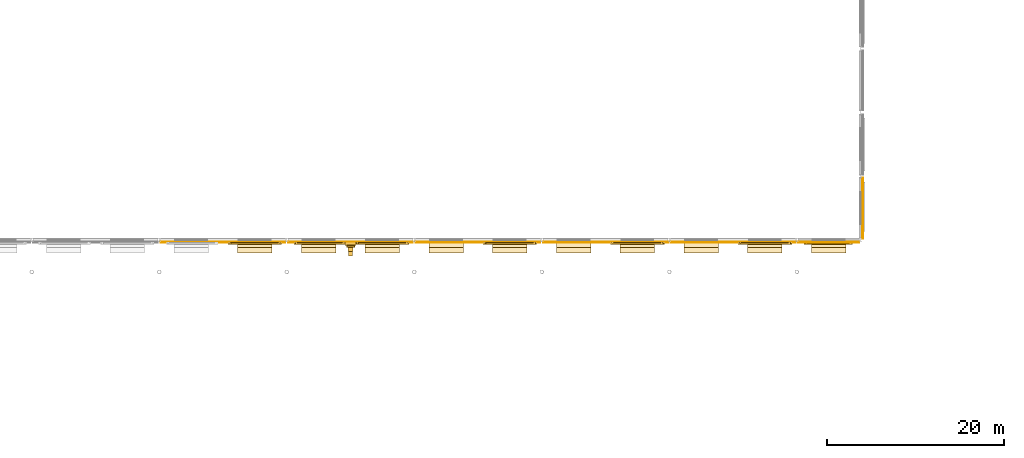
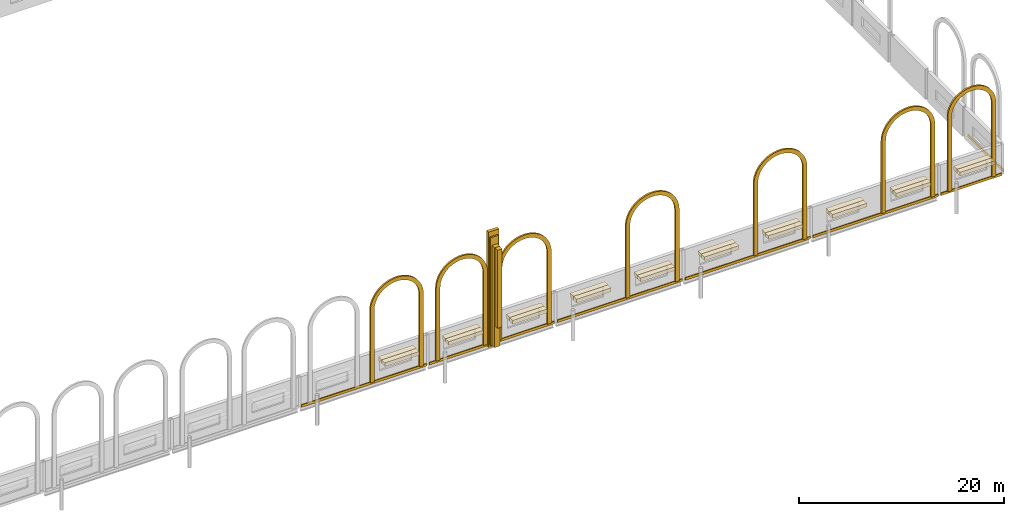
# One storey, part 124 of 143: 38 coverings.
"""IFC4 building model written with IfcOpenShell, lengths in metres."""

from ifc_helpers import new_model, si_unit, direction, frame, origin, origin_2d, place, context, subcontext, project, spatial, polyline, rectangle, outline, extrude, material, layer, layer_set, type_object, element, save


model = new_model("IFC4")

# Units and contexts
model_context = context("Model", 3, precision=1e-05, world=origin(), true_north=direction((0.0, 1.0)))
body_context = subcontext(model_context, "Body", "Model", "MODEL_VIEW")
ifc_project = project(units=[si_unit("LENGTHUNIT", "METRE"), si_unit("AREAUNIT", "SQUARE_METRE"), si_unit("VOLUMEUNIT", "CUBIC_METRE"), si_unit("PLANEANGLEUNIT", "RADIAN"), si_unit("MASSUNIT", "GRAM", prefix="KILO")], contexts=[model_context])

# Site, building, storey
site_placement = place(None, origin())
site = spatial("IfcSite", under=ifc_project, at=site_placement, CompositionType="ELEMENT")
building_placement = place(site_placement, origin())
building = spatial("IfcBuilding", under=site, at=building_placement, Name="Kupolbacken Congress Centre", CompositionType="ELEMENT")
storey_placement = place(building_placement, frame((0.0, 0.0, 7.199951171875)))
storey = spatial("IfcBuildingStorey", under=building, at=storey_placement, Name="L02", CompositionType="ELEMENT", Elevation=7.199951171875)

# Coverings
ifc_material_1 = material(Name="Brick cladding", Category="masonry")
ifc_layer_1 = layer(ifc_material_1, 0.10791015625)
ifc_layer_set_1 = layer_set([ifc_layer_1], Name="Brick cladding")
covering_type_1 = type_object("IfcCoveringType", Name="CV2 brick cladding band 108", PredefinedType="CLADDING", material=ifc_layer_set_1)
covering_1_placement = place(storey_placement, frame((201.864013671875, 46.800048828125, 0.0), z_axis=(0.0, 0.0, 1.0), x_axis=(0.0, 1.0, 0.0)))
element("IfcCovering", 1, at=covering_1_placement, inside=storey, type_object=covering_type_1, Name="E/H/E/L02/246/band", PredefinedType="CLADDING", context=body_context, shape_type="SweptSolid", body=[
    extrude(rectangle(XDim=6.909912109375, YDim=0.10791015625, at=origin_2d()), origin(), (0.0, 0.0, 1.0), 0.300048828125),
])
for number, where, z_axis, x_axis, name in (
    (2, (129.60009765625, 42.93603515625, 0.0), (0.0, 0.0, 1.0), (1.0, 0.0, 0.0), "E/H/S/L02/268/band"),
    (3, (144.0, 42.93603515625, 0.0), (0.0, 0.0, 1.0), (1.0, 0.0, 0.0), "E/H/S/L02/269/band"),
    (4, (158.39990234375, 42.93603515625, 0.0), (0.0, 0.0, 1.0), (1.0, 0.0, 0.0), "E/H/S/L02/270/band"),
    (5, (172.800048828125, 42.93603515625, 0.0), (0.0, 0.0, 1.0), (1.0, 0.0, 0.0), "E/H/S/L02/271/band"),
    (6, (187.199951171875, 42.93603515625, 0.0), (0.0, 0.0, 1.0), (1.0, 0.0, 0.0), "E/H/S/L02/272/band"),
):
    element("IfcCovering", number, at=place(storey_placement, frame(where, z_axis=z_axis, x_axis=x_axis)), inside=storey, type_object=covering_type_1, Name=name, PredefinedType="CLADDING", context=body_context, shape_type="SweptSolid", body=[
        extrude(rectangle(XDim=14.10009765625, YDim=0.10791015625, at=origin_2d()), origin(), (0.0, 0.0, 1.0), 0.300048828125),
    ])
covering_2_placement = place(storey_placement, frame((198.0, 42.93603515625, 0.0), z_axis=(0.0, 0.0, 1.0), x_axis=(1.0, 0.0, 0.0)))
element("IfcCovering", 7, at=covering_2_placement, inside=storey, type_object=covering_type_1, Name="E/H/S/L02/273/band", PredefinedType="CLADDING", context=body_context, shape_type="SweptSolid", body=[
    extrude(rectangle(XDim=6.89990234375, YDim=0.10791015625, at=origin_2d()), origin(), (0.0, 0.0, 1.0), 0.300048828125),
])
ifc_material_2 = material(Name="Limestone cladding", Category="masonry")
ifc_layer_2 = layer(ifc_material_2, 0.35009765625)
ifc_layer_set_2 = layer_set([ifc_layer_2], Name="Limestone cladding")
covering_type_2 = type_object("IfcCoveringType", Name="CV3 limestone pilaster strip 350", PredefinedType="CLADDING", material=ifc_layer_set_2)
covering_3_placement = place(storey_placement, frame((144.0, 42.764892578125, 0.0), z_axis=(0.0, 0.0, 1.0), x_axis=(1.0, 0.0, 0.0)))
element("IfcCovering", 8, at=covering_3_placement, inside=storey, type_object=covering_type_2, Name="F/H/S/pil/08/0", PredefinedType="CLADDING", context=body_context, shape_type="SweptSolid", body=[
    extrude(rectangle(XDim=1.199951171875, YDim=0.35009765625, at=origin_2d()), origin(), (0.0, 0.0, 1.0), 13.735107421875),
])
ifc_material_3 = material(Name="Limestone cladding", Category="masonry")
ifc_layer_3 = layer(ifc_material_3, 0.60009765625)
ifc_layer_set_3 = layer_set([ifc_layer_3], Name="Limestone cladding")
covering_type_3 = type_object("IfcCoveringType", Name="CV5 limestone arcade pier 600", PredefinedType="CLADDING", material=ifc_layer_set_3)
covering_4_placement = place(storey_placement, frame((133.199951171875, 42.6650390625, 2.5), z_axis=(0.0, 0.0, 1.0), x_axis=(1.0, 0.0, 0.0)))
element("IfcCovering", 9, at=covering_4_placement, inside=storey, type_object=covering_type_3, Name="F/HR/H/S/fin/06/0/a", PredefinedType="CLADDING", context=body_context, shape_type="SweptSolid", body=[
    extrude(rectangle(XDim=3.89990234375, YDim=0.64990234375, at=origin_2d()), origin(), (0.0, 0.0, 1.0), 0.449951171875),
])
covering_5_placement = place(storey_placement, frame((133.199951171875, 42.0400390625, 2.5), z_axis=(0.0, 0.0, 1.0), x_axis=(1.0, 0.0, 0.0)))
element("IfcCovering", 10, at=covering_5_placement, inside=storey, type_object=covering_type_3, Name="F/HR/H/S/fin/06/0/b", PredefinedType="CLADDING", context=body_context, shape_type="SweptSolid", body=[
    extrude(rectangle(XDim=3.89990234375, YDim=0.60009765625, at=origin_2d()), origin(), (0.0, 0.0, 1.0), 0.449951171875),
])
covering_6_placement = place(storey_placement, frame((140.39990234375, 42.6650390625, 2.5), z_axis=(0.0, 0.0, 1.0), x_axis=(1.0, 0.0, 0.0)))
element("IfcCovering", 11, at=covering_6_placement, inside=storey, type_object=covering_type_3, Name="F/HR/H/S/fin/07/0/a", PredefinedType="CLADDING", context=body_context, shape_type="SweptSolid", body=[
    extrude(rectangle(XDim=3.89990234375, YDim=0.64990234375, at=origin_2d()), origin(), (0.0, 0.0, 1.0), 0.449951171875),
])
covering_7_placement = place(storey_placement, frame((140.39990234375, 42.0400390625, 2.5), z_axis=(0.0, 0.0, 1.0), x_axis=(1.0, 0.0, 0.0)))
element("IfcCovering", 12, at=covering_7_placement, inside=storey, type_object=covering_type_3, Name="F/HR/H/S/fin/07/0/b", PredefinedType="CLADDING", context=body_context, shape_type="SweptSolid", body=[
    extrude(rectangle(XDim=3.89990234375, YDim=0.60009765625, at=origin_2d()), origin(), (0.0, 0.0, 1.0), 0.449951171875),
])
covering_8_placement = place(storey_placement, frame((147.60009765625, 42.6650390625, 2.5), z_axis=(0.0, 0.0, 1.0), x_axis=(1.0, 0.0, 0.0)))
element("IfcCovering", 13, at=covering_8_placement, inside=storey, type_object=covering_type_3, Name="F/HR/H/S/fin/08/0/a", PredefinedType="CLADDING", context=body_context, shape_type="SweptSolid", body=[
    extrude(rectangle(XDim=3.89990234375, YDim=0.64990234375, at=origin_2d()), origin(), (0.0, 0.0, 1.0), 0.449951171875),
])
covering_9_placement = place(storey_placement, frame((147.60009765625, 42.0400390625, 2.5), z_axis=(0.0, 0.0, 1.0), x_axis=(1.0, 0.0, 0.0)))
element("IfcCovering", 14, at=covering_9_placement, inside=storey, type_object=covering_type_3, Name="F/HR/H/S/fin/08/0/b", PredefinedType="CLADDING", context=body_context, shape_type="SweptSolid", body=[
    extrude(rectangle(XDim=3.89990234375, YDim=0.60009765625, at=origin_2d()), origin(), (0.0, 0.0, 1.0), 0.449951171875),
])
covering_10_placement = place(storey_placement, frame((154.800048828125, 42.6650390625, 2.5), z_axis=(0.0, 0.0, 1.0), x_axis=(1.0, 0.0, 0.0)))
element("IfcCovering", 15, at=covering_10_placement, inside=storey, type_object=covering_type_3, Name="F/HR/H/S/fin/09/0/a", PredefinedType="CLADDING", context=body_context, shape_type="SweptSolid", body=[
    extrude(rectangle(XDim=3.89990234375, YDim=0.64990234375, at=origin_2d()), origin(), (0.0, 0.0, 1.0), 0.449951171875),
])
covering_11_placement = place(storey_placement, frame((154.800048828125, 42.0400390625, 2.5), z_axis=(0.0, 0.0, 1.0), x_axis=(1.0, 0.0, 0.0)))
element("IfcCovering", 16, at=covering_11_placement, inside=storey, type_object=covering_type_3, Name="F/HR/H/S/fin/09/0/b", PredefinedType="CLADDING", context=body_context, shape_type="SweptSolid", body=[
    extrude(rectangle(XDim=3.89990234375, YDim=0.60009765625, at=origin_2d()), origin(), (0.0, 0.0, 1.0), 0.449951171875),
])
covering_12_placement = place(storey_placement, frame((162.0, 42.6650390625, 2.5), z_axis=(0.0, 0.0, 1.0), x_axis=(1.0, 0.0, 0.0)))
element("IfcCovering", 17, at=covering_12_placement, inside=storey, type_object=covering_type_3, Name="F/HR/H/S/fin/10/0/a", PredefinedType="CLADDING", context=body_context, shape_type="SweptSolid", body=[
    extrude(rectangle(XDim=3.89990234375, YDim=0.64990234375, at=origin_2d()), origin(), (0.0, 0.0, 1.0), 0.449951171875),
])
covering_13_placement = place(storey_placement, frame((162.0, 42.0400390625, 2.5), z_axis=(0.0, 0.0, 1.0), x_axis=(1.0, 0.0, 0.0)))
element("IfcCovering", 18, at=covering_13_placement, inside=storey, type_object=covering_type_3, Name="F/HR/H/S/fin/10/0/b", PredefinedType="CLADDING", context=body_context, shape_type="SweptSolid", body=[
    extrude(rectangle(XDim=3.89990234375, YDim=0.60009765625, at=origin_2d()), origin(), (0.0, 0.0, 1.0), 0.449951171875),
])
covering_14_placement = place(storey_placement, frame((169.199951171875, 42.6650390625, 2.5), z_axis=(0.0, 0.0, 1.0), x_axis=(1.0, 0.0, 0.0)))
element("IfcCovering", 19, at=covering_14_placement, inside=storey, type_object=covering_type_3, Name="F/HR/H/S/fin/11/0/a", PredefinedType="CLADDING", context=body_context, shape_type="SweptSolid", body=[
    extrude(rectangle(XDim=3.89990234375, YDim=0.64990234375, at=origin_2d()), origin(), (0.0, 0.0, 1.0), 0.449951171875),
])
covering_15_placement = place(storey_placement, frame((169.199951171875, 42.0400390625, 2.5), z_axis=(0.0, 0.0, 1.0), x_axis=(1.0, 0.0, 0.0)))
element("IfcCovering", 20, at=covering_15_placement, inside=storey, type_object=covering_type_3, Name="F/HR/H/S/fin/11/0/b", PredefinedType="CLADDING", context=body_context, shape_type="SweptSolid", body=[
    extrude(rectangle(XDim=3.89990234375, YDim=0.60009765625, at=origin_2d()), origin(), (0.0, 0.0, 1.0), 0.449951171875),
])
covering_16_placement = place(storey_placement, frame((176.39990234375, 42.6650390625, 2.5), z_axis=(0.0, 0.0, 1.0), x_axis=(1.0, 0.0, 0.0)))
element("IfcCovering", 21, at=covering_16_placement, inside=storey, type_object=covering_type_3, Name="F/HR/H/S/fin/12/0/a", PredefinedType="CLADDING", context=body_context, shape_type="SweptSolid", body=[
    extrude(rectangle(XDim=3.89990234375, YDim=0.64990234375, at=origin_2d()), origin(), (0.0, 0.0, 1.0), 0.449951171875),
])
covering_17_placement = place(storey_placement, frame((176.39990234375, 42.0400390625, 2.5), z_axis=(0.0, 0.0, 1.0), x_axis=(1.0, 0.0, 0.0)))
element("IfcCovering", 22, at=covering_17_placement, inside=storey, type_object=covering_type_3, Name="F/HR/H/S/fin/12/0/b", PredefinedType="CLADDING", context=body_context, shape_type="SweptSolid", body=[
    extrude(rectangle(XDim=3.89990234375, YDim=0.60009765625, at=origin_2d()), origin(), (0.0, 0.0, 1.0), 0.449951171875),
])
covering_18_placement = place(storey_placement, frame((183.60009765625, 42.6650390625, 2.5), z_axis=(0.0, 0.0, 1.0), x_axis=(1.0, 0.0, 0.0)))
element("IfcCovering", 23, at=covering_18_placement, inside=storey, type_object=covering_type_3, Name="F/HR/H/S/fin/13/0/a", PredefinedType="CLADDING", context=body_context, shape_type="SweptSolid", body=[
    extrude(rectangle(XDim=3.89990234375, YDim=0.64990234375, at=origin_2d()), origin(), (0.0, 0.0, 1.0), 0.449951171875),
])
covering_19_placement = place(storey_placement, frame((183.60009765625, 42.0400390625, 2.5), z_axis=(0.0, 0.0, 1.0), x_axis=(1.0, 0.0, 0.0)))
element("IfcCovering", 24, at=covering_19_placement, inside=storey, type_object=covering_type_3, Name="F/HR/H/S/fin/13/0/b", PredefinedType="CLADDING", context=body_context, shape_type="SweptSolid", body=[
    extrude(rectangle(XDim=3.89990234375, YDim=0.60009765625, at=origin_2d()), origin(), (0.0, 0.0, 1.0), 0.449951171875),
])
covering_20_placement = place(storey_placement, frame((190.800048828125, 42.6650390625, 2.5), z_axis=(0.0, 0.0, 1.0), x_axis=(1.0, 0.0, 0.0)))
element("IfcCovering", 25, at=covering_20_placement, inside=storey, type_object=covering_type_3, Name="F/HR/H/S/fin/14/0/a", PredefinedType="CLADDING", context=body_context, shape_type="SweptSolid", body=[
    extrude(rectangle(XDim=3.89990234375, YDim=0.64990234375, at=origin_2d()), origin(), (0.0, 0.0, 1.0), 0.449951171875),
])
covering_21_placement = place(storey_placement, frame((190.800048828125, 42.0400390625, 2.5), z_axis=(0.0, 0.0, 1.0), x_axis=(1.0, 0.0, 0.0)))
element("IfcCovering", 26, at=covering_21_placement, inside=storey, type_object=covering_type_3, Name="F/HR/H/S/fin/14/0/b", PredefinedType="CLADDING", context=body_context, shape_type="SweptSolid", body=[
    extrude(rectangle(XDim=3.89990234375, YDim=0.60009765625, at=origin_2d()), origin(), (0.0, 0.0, 1.0), 0.449951171875),
])
covering_22_placement = place(storey_placement, frame((198.0, 42.6650390625, 2.5), z_axis=(0.0, 0.0, 1.0), x_axis=(1.0, 0.0, 0.0)))
element("IfcCovering", 27, at=covering_22_placement, inside=storey, type_object=covering_type_3, Name="F/HR/H/S/fin/15/0/a", PredefinedType="CLADDING", context=body_context, shape_type="SweptSolid", body=[
    extrude(rectangle(XDim=3.89990234375, YDim=0.64990234375, at=origin_2d()), origin(), (0.0, 0.0, 1.0), 0.449951171875),
])
covering_23_placement = place(storey_placement, frame((198.0, 42.0400390625, 2.5), z_axis=(0.0, 0.0, 1.0), x_axis=(1.0, 0.0, 0.0)))
element("IfcCovering", 28, at=covering_23_placement, inside=storey, type_object=covering_type_3, Name="F/HR/H/S/fin/15/0/b", PredefinedType="CLADDING", context=body_context, shape_type="SweptSolid", body=[
    extrude(rectangle(XDim=3.89990234375, YDim=0.60009765625, at=origin_2d()), origin(), (0.0, 0.0, 1.0), 0.449951171875),
])
ifc_material_4 = material(Name="Limestone cladding", Category="masonry")
ifc_layer_4 = layer(ifc_material_4, 0.5)
ifc_layer_set_4 = layer_set([ifc_layer_4], Name="Limestone cladding")
covering_type_4 = type_object("IfcCoveringType", Name="CV8 limestone drum pier 500", PredefinedType="CLADDING", material=ifc_layer_set_4)
covering_24_placement = place(storey_placement, frame((144.0, 42.139892578125, 0.2998046875), z_axis=(0.0, 0.0, 1.0), x_axis=(1.0, 0.0, 0.0)))
element("IfcCovering", 29, at=covering_24_placement, inside=storey, type_object=covering_type_4, Name="F/HR/H/S/butt/08-0/0", PredefinedType="CLADDING", context=body_context, shape_type="SweptSolid", body=[
    extrude(rectangle(XDim=0.60009765625, YDim=0.5, at=origin_2d()), origin(), (0.0, 0.0, 1.0), 11.885009765625),
])
covering_25_placement = place(storey_placement, frame((144.0, 41.639892578125, 2.89990234375), z_axis=(0.0, 0.0, 1.0), x_axis=(1.0, 0.0, 0.0)))
element("IfcCovering", 30, at=covering_25_placement, inside=storey, type_object=covering_type_4, Name="F/HR/H/S/butt2/08-0/0", PredefinedType="CLADDING", context=body_context, shape_type="SweptSolid", body=[
    extrude(rectangle(XDim=0.5, YDim=0.5, at=origin_2d()), origin(), (0.0, 0.0, 1.0), 9.284912109375),
])
ifc_material_5 = material(Name="Limestone cladding", Category="masonry")
ifc_layer_5 = layer(ifc_material_5, 0.199951171875)
ifc_layer_set_5 = layer_set([ifc_layer_5], Name="Limestone cladding")
covering_type_5 = type_object("IfcCoveringType", Name="CV9 limestone drum arch frame 200", PredefinedType="CLADDING", material=ifc_layer_set_5)
covering_26_placement = place(storey_placement, frame((144.0, 42.489990234375, 0.300048828125), z_axis=(0.0, 0.0, 1.0), x_axis=(1.0, 0.0, 0.0)))
element("IfcCovering", 31, at=covering_26_placement, inside=storey, type_object=covering_type_5, Name="F/HR/H/S/rib/08-0/0", PredefinedType="CLADDING", context=body_context, shape_type="SweptSolid", body=[
    extrude(rectangle(XDim=0.89990234375, YDim=0.199951171875, at=origin_2d()), origin(), (0.0, 0.0, 1.0), 12.8349609375),
])
covering_27_placement = place(storey_placement, frame((130.199951171875, 42.93994140625, 0.300048828125), z_axis=(0.0, -1.0, 0.0), x_axis=(1.0, 0.0, 0.0)))
element("IfcCovering", 32, at=covering_27_placement, inside=storey, type_object=covering_type_5, Name="F/HR/H/S/frame/06", PredefinedType="CLADDING", context=body_context, shape_type="SweptSolid", body=[
    extrude(outline(polyline([(0.0, 0.0), (0.0, 8.550048828125), (0.018798828125, 8.885986328125), (0.0751953125, 9.217529296875), (0.16845703125, 9.540771484375), (0.297119140625, 9.851806640625), (0.459716796875, 10.14599609375), (0.654541015625, 10.42041015625), (0.878662109375, 10.67138671875), (1.12939453125, 10.8955078125), (1.40380859375, 11.090087890625), (1.6982421875, 11.2529296875), (2.00927734375, 11.381591796875), (2.33251953125, 11.474853515625), (2.6640625, 11.531005859375), (3.0, 11.550048828125), (3.3359375, 11.531005859375), (3.66748046875, 11.474853515625), (3.99072265625, 11.381591796875), (4.3017578125, 11.2529296875), (4.59619140625, 11.090087890625), (4.87060546875, 10.8955078125), (5.121337890625, 10.67138671875), (5.345458984375, 10.42041015625), (5.540283203125, 10.14599609375), (5.702880859375, 9.851806640625), (5.83154296875, 9.540771484375), (5.9248046875, 9.217529296875), (5.981201171875, 8.885986328125), (6.0, 8.550048828125), (6.0, 0.0), (5.550048828125, 0.0), (5.550048828125, 8.550048828125), (5.533935546875, 8.83544921875), (5.486083984375, 9.117431640625), (5.406982421875, 9.39208984375), (5.297607421875, 9.656494140625), (5.1591796875, 9.90673828125), (4.99365234375, 10.139892578125), (4.802978515625, 10.35302734375), (4.58984375, 10.543701171875), (4.356689453125, 10.708984375), (4.1064453125, 10.847412109375), (3.84228515625, 10.956787109375), (3.5673828125, 11.0361328125), (3.285400390625, 11.083984375), (3.0, 11.10009765625), (2.714599609375, 11.083984375), (2.4326171875, 11.0361328125), (2.15771484375, 10.956787109375), (1.8935546875, 10.847412109375), (1.643310546875, 10.708984375), (1.41015625, 10.543701171875), (1.197021484375, 10.35302734375), (1.00634765625, 10.139892578125), (0.8408203125, 9.90673828125), (0.702392578125, 9.656494140625), (0.593017578125, 9.39208984375), (0.513916015625, 9.117431640625), (0.466064453125, 8.83544921875), (0.449951171875, 8.550048828125), (0.449951171875, 0.0), (0.0, 0.0)])), origin(), (0.0, 0.0, 1.0), 0.199951171875),
])
covering_28_placement = place(storey_placement, frame((137.6201171875, 42.93994140625, 0.300048828125), z_axis=(0.0, -1.0, 0.0), x_axis=(1.0, 0.0, 0.0)))
element("IfcCovering", 33, at=covering_28_placement, inside=storey, type_object=covering_type_5, Name="F/HR/H/S/frame/07", PredefinedType="CLADDING", context=body_context, shape_type="SweptSolid", body=[
    extrude(outline(polyline([(0.0, 0.0), (0.0, 8.659912109375), (0.018310546875, 8.983642578125), (0.072509765625, 9.302978515625), (0.162109375, 9.614501953125), (0.2861328125, 9.913818359375), (0.443115234375, 10.197509765625), (0.630615234375, 10.4619140625), (0.846435546875, 10.70361328125), (1.088134765625, 10.91943359375), (1.352294921875, 11.10693359375), (1.635986328125, 11.263916015625), (1.935546875, 11.3876953125), (2.246826171875, 11.4775390625), (2.56640625, 11.53173828125), (2.889892578125, 11.550048828125), (3.213623046875, 11.53173828125), (3.533203125, 11.4775390625), (3.844482421875, 11.3876953125), (4.143798828125, 11.263916015625), (4.427490234375, 11.10693359375), (4.69189453125, 10.91943359375), (4.93359375, 10.70361328125), (5.1494140625, 10.4619140625), (5.3369140625, 10.197509765625), (5.493896484375, 9.913818359375), (5.617919921875, 9.614501953125), (5.70751953125, 9.302978515625), (5.76171875, 8.983642578125), (5.780029296875, 8.659912109375), (5.780029296875, 0.0), (5.330078125, 0.0), (5.330078125, 8.659912109375), (5.314697265625, 8.93310546875), (5.268798828125, 9.202880859375), (5.193115234375, 9.4658203125), (5.08837890625, 9.71875), (4.9560546875, 9.958251953125), (4.797607421875, 10.181396484375), (4.615234375, 10.38525390625), (4.411376953125, 10.567626953125), (4.188232421875, 10.72607421875), (3.94873046875, 10.8583984375), (3.69580078125, 10.963134765625), (3.43310546875, 11.038818359375), (3.1630859375, 11.084716796875), (2.889892578125, 11.10009765625), (2.61669921875, 11.084716796875), (2.346923828125, 11.038818359375), (2.083984375, 10.963134765625), (1.831298828125, 10.8583984375), (1.591796875, 10.72607421875), (1.36865234375, 10.567626953125), (1.164794921875, 10.38525390625), (0.982421875, 10.181396484375), (0.823974609375, 9.958251953125), (0.691650390625, 9.71875), (0.5869140625, 9.4658203125), (0.51123046875, 9.202880859375), (0.46533203125, 8.93310546875), (0.449951171875, 8.659912109375), (0.449951171875, 0.0), (0.0, 0.0)])), origin(), (0.0, 0.0, 1.0), 0.199951171875),
])
covering_29_placement = place(storey_placement, frame((144.60009765625, 42.93994140625, 0.300048828125), z_axis=(0.0, -1.0, 0.0), x_axis=(1.0, 0.0, 0.0)))
element("IfcCovering", 34, at=covering_29_placement, inside=storey, type_object=covering_type_5, Name="F/HR/H/S/frame/08", PredefinedType="CLADDING", context=body_context, shape_type="SweptSolid", body=[
    extrude(outline(polyline([(0.0, 0.0), (0.0, 8.550048828125), (0.018798828125, 8.885986328125), (0.0751953125, 9.217529296875), (0.16845703125, 9.540771484375), (0.297119140625, 9.851806640625), (0.459716796875, 10.14599609375), (0.654541015625, 10.42041015625), (0.878662109375, 10.67138671875), (1.12939453125, 10.8955078125), (1.40380859375, 11.090087890625), (1.6982421875, 11.2529296875), (2.00927734375, 11.381591796875), (2.33251953125, 11.474853515625), (2.6640625, 11.531005859375), (3.0, 11.550048828125), (3.3359375, 11.531005859375), (3.66748046875, 11.474853515625), (3.99072265625, 11.381591796875), (4.3017578125, 11.2529296875), (4.59619140625, 11.090087890625), (4.87060546875, 10.8955078125), (5.121337890625, 10.67138671875), (5.345458984375, 10.42041015625), (5.540283203125, 10.14599609375), (5.702880859375, 9.851806640625), (5.83154296875, 9.540771484375), (5.9248046875, 9.217529296875), (5.981201171875, 8.885986328125), (6.0, 8.550048828125), (6.0, 0.0), (5.550048828125, 0.0), (5.550048828125, 8.550048828125), (5.533935546875, 8.83544921875), (5.486083984375, 9.117431640625), (5.406982421875, 9.39208984375), (5.297607421875, 9.656494140625), (5.1591796875, 9.90673828125), (4.99365234375, 10.139892578125), (4.802978515625, 10.35302734375), (4.58984375, 10.543701171875), (4.356689453125, 10.708984375), (4.1064453125, 10.847412109375), (3.84228515625, 10.956787109375), (3.5673828125, 11.0361328125), (3.285400390625, 11.083984375), (3.0, 11.10009765625), (2.714599609375, 11.083984375), (2.4326171875, 11.0361328125), (2.15771484375, 10.956787109375), (1.8935546875, 10.847412109375), (1.643310546875, 10.708984375), (1.41015625, 10.543701171875), (1.197021484375, 10.35302734375), (1.00634765625, 10.139892578125), (0.8408203125, 9.90673828125), (0.702392578125, 9.656494140625), (0.593017578125, 9.39208984375), (0.513916015625, 9.117431640625), (0.466064453125, 8.83544921875), (0.449951171875, 8.550048828125), (0.449951171875, 0.0), (0.0, 0.0)])), origin(), (0.0, 0.0, 1.0), 0.199951171875),
])
covering_30_placement = place(storey_placement, frame((159.0, 42.93994140625, 0.300048828125), z_axis=(0.0, -1.0, 0.0), x_axis=(1.0, 0.0, 0.0)))
element("IfcCovering", 35, at=covering_30_placement, inside=storey, type_object=covering_type_5, Name="F/HR/H/S/frame/10", PredefinedType="CLADDING", context=body_context, shape_type="SweptSolid", body=[
    extrude(outline(polyline([(0.0, 0.0), (0.0, 8.550048828125), (0.018798828125, 8.885986328125), (0.0751953125, 9.217529296875), (0.16845703125, 9.540771484375), (0.297119140625, 9.851806640625), (0.459716796875, 10.14599609375), (0.654541015625, 10.42041015625), (0.878662109375, 10.67138671875), (1.12939453125, 10.8955078125), (1.40380859375, 11.090087890625), (1.6982421875, 11.2529296875), (2.00927734375, 11.381591796875), (2.33251953125, 11.474853515625), (2.6640625, 11.531005859375), (3.0, 11.550048828125), (3.3359375, 11.531005859375), (3.66748046875, 11.474853515625), (3.99072265625, 11.381591796875), (4.3017578125, 11.2529296875), (4.59619140625, 11.090087890625), (4.87060546875, 10.8955078125), (5.121337890625, 10.67138671875), (5.345458984375, 10.42041015625), (5.540283203125, 10.14599609375), (5.702880859375, 9.851806640625), (5.83154296875, 9.540771484375), (5.9248046875, 9.217529296875), (5.981201171875, 8.885986328125), (6.0, 8.550048828125), (6.0, 0.0), (5.550048828125, 0.0), (5.550048828125, 8.550048828125), (5.533935546875, 8.83544921875), (5.486083984375, 9.117431640625), (5.406982421875, 9.39208984375), (5.297607421875, 9.656494140625), (5.1591796875, 9.90673828125), (4.99365234375, 10.139892578125), (4.802978515625, 10.35302734375), (4.58984375, 10.543701171875), (4.356689453125, 10.708984375), (4.1064453125, 10.847412109375), (3.84228515625, 10.956787109375), (3.5673828125, 11.0361328125), (3.285400390625, 11.083984375), (3.0, 11.10009765625), (2.714599609375, 11.083984375), (2.4326171875, 11.0361328125), (2.15771484375, 10.956787109375), (1.8935546875, 10.847412109375), (1.643310546875, 10.708984375), (1.41015625, 10.543701171875), (1.197021484375, 10.35302734375), (1.00634765625, 10.139892578125), (0.8408203125, 9.90673828125), (0.702392578125, 9.656494140625), (0.593017578125, 9.39208984375), (0.513916015625, 9.117431640625), (0.466064453125, 8.83544921875), (0.449951171875, 8.550048828125), (0.449951171875, 0.0), (0.0, 0.0)])), origin(), (0.0, 0.0, 1.0), 0.199951171875),
])
covering_31_placement = place(storey_placement, frame((173.39990234375, 42.93994140625, 0.300048828125), z_axis=(0.0, -1.0, 0.0), x_axis=(1.0, 0.0, 0.0)))
element("IfcCovering", 36, at=covering_31_placement, inside=storey, type_object=covering_type_5, Name="F/HR/H/S/frame/12", PredefinedType="CLADDING", context=body_context, shape_type="SweptSolid", body=[
    extrude(outline(polyline([(0.0, 0.0), (0.0, 8.550048828125), (0.018798828125, 8.885986328125), (0.0751953125, 9.217529296875), (0.16845703125, 9.540771484375), (0.297119140625, 9.851806640625), (0.459716796875, 10.14599609375), (0.654541015625, 10.42041015625), (0.878662109375, 10.67138671875), (1.12939453125, 10.8955078125), (1.40380859375, 11.090087890625), (1.6982421875, 11.2529296875), (2.00927734375, 11.381591796875), (2.33251953125, 11.474853515625), (2.6640625, 11.531005859375), (3.0, 11.550048828125), (3.3359375, 11.531005859375), (3.66748046875, 11.474853515625), (3.99072265625, 11.381591796875), (4.3017578125, 11.2529296875), (4.59619140625, 11.090087890625), (4.87060546875, 10.8955078125), (5.121337890625, 10.67138671875), (5.345458984375, 10.42041015625), (5.540283203125, 10.14599609375), (5.702880859375, 9.851806640625), (5.83154296875, 9.540771484375), (5.9248046875, 9.217529296875), (5.981201171875, 8.885986328125), (6.0, 8.550048828125), (6.0, 0.0), (5.550048828125, 0.0), (5.550048828125, 8.550048828125), (5.533935546875, 8.83544921875), (5.486083984375, 9.117431640625), (5.406982421875, 9.39208984375), (5.297607421875, 9.656494140625), (5.1591796875, 9.90673828125), (4.99365234375, 10.139892578125), (4.802978515625, 10.35302734375), (4.58984375, 10.543701171875), (4.356689453125, 10.708984375), (4.1064453125, 10.847412109375), (3.84228515625, 10.956787109375), (3.5673828125, 11.0361328125), (3.285400390625, 11.083984375), (3.0, 11.10009765625), (2.714599609375, 11.083984375), (2.4326171875, 11.0361328125), (2.15771484375, 10.956787109375), (1.8935546875, 10.847412109375), (1.643310546875, 10.708984375), (1.41015625, 10.543701171875), (1.197021484375, 10.35302734375), (1.00634765625, 10.139892578125), (0.8408203125, 9.90673828125), (0.702392578125, 9.656494140625), (0.593017578125, 9.39208984375), (0.513916015625, 9.117431640625), (0.466064453125, 8.83544921875), (0.449951171875, 8.550048828125), (0.449951171875, 0.0), (0.0, 0.0)])), origin(), (0.0, 0.0, 1.0), 0.199951171875),
])
covering_32_placement = place(storey_placement, frame((187.800048828125, 42.93994140625, 0.300048828125), z_axis=(0.0, -1.0, 0.0), x_axis=(1.0, 0.0, 0.0)))
element("IfcCovering", 37, at=covering_32_placement, inside=storey, type_object=covering_type_5, Name="F/HR/H/S/frame/14", PredefinedType="CLADDING", context=body_context, shape_type="SweptSolid", body=[
    extrude(outline(polyline([(0.0, 0.0), (0.0, 8.550048828125), (0.018798828125, 8.885986328125), (0.0751953125, 9.217529296875), (0.16845703125, 9.540771484375), (0.297119140625, 9.851806640625), (0.459716796875, 10.14599609375), (0.654541015625, 10.42041015625), (0.878662109375, 10.67138671875), (1.12939453125, 10.8955078125), (1.40380859375, 11.090087890625), (1.6982421875, 11.2529296875), (2.00927734375, 11.381591796875), (2.33251953125, 11.474853515625), (2.6640625, 11.531005859375), (3.0, 11.550048828125), (3.3359375, 11.531005859375), (3.66748046875, 11.474853515625), (3.99072265625, 11.381591796875), (4.3017578125, 11.2529296875), (4.59619140625, 11.090087890625), (4.87060546875, 10.8955078125), (5.121337890625, 10.67138671875), (5.345458984375, 10.42041015625), (5.540283203125, 10.14599609375), (5.702880859375, 9.851806640625), (5.83154296875, 9.540771484375), (5.9248046875, 9.217529296875), (5.981201171875, 8.885986328125), (6.0, 8.550048828125), (6.0, 0.0), (5.550048828125, 0.0), (5.550048828125, 8.550048828125), (5.533935546875, 8.83544921875), (5.486083984375, 9.117431640625), (5.406982421875, 9.39208984375), (5.297607421875, 9.656494140625), (5.1591796875, 9.90673828125), (4.99365234375, 10.139892578125), (4.802978515625, 10.35302734375), (4.58984375, 10.543701171875), (4.356689453125, 10.708984375), (4.1064453125, 10.847412109375), (3.84228515625, 10.956787109375), (3.5673828125, 11.0361328125), (3.285400390625, 11.083984375), (3.0, 11.10009765625), (2.714599609375, 11.083984375), (2.4326171875, 11.0361328125), (2.15771484375, 10.956787109375), (1.8935546875, 10.847412109375), (1.643310546875, 10.708984375), (1.41015625, 10.543701171875), (1.197021484375, 10.35302734375), (1.00634765625, 10.139892578125), (0.8408203125, 9.90673828125), (0.702392578125, 9.656494140625), (0.593017578125, 9.39208984375), (0.513916015625, 9.117431640625), (0.466064453125, 8.83544921875), (0.449951171875, 8.550048828125), (0.449951171875, 0.0), (0.0, 0.0)])), origin(), (0.0, 0.0, 1.0), 0.199951171875),
])
covering_33_placement = place(storey_placement, frame((195.239990234375, 42.93994140625, 0.300048828125), z_axis=(0.0, -1.0, 0.0), x_axis=(1.0, 0.0, 0.0)))
element("IfcCovering", 38, at=covering_33_placement, inside=storey, type_object=covering_type_5, Name="F/HR/H/S/frame/15", PredefinedType="CLADDING", context=body_context, shape_type="SweptSolid", body=[
    extrude(outline(polyline([(0.0, 0.0), (0.0, 8.840087890625), (0.01708984375, 9.143310546875), (0.06787109375, 9.443115234375), (0.152099609375, 9.735107421875), (0.268310546875, 10.015869140625), (0.415283203125, 10.28173828125), (0.59130859375, 10.52978515625), (0.793701171875, 10.75634765625), (1.020263671875, 10.958740234375), (1.268310546875, 11.134521484375), (1.5341796875, 11.281494140625), (1.81494140625, 11.39794921875), (2.10693359375, 11.482177734375), (2.406494140625, 11.532958984375), (2.7099609375, 11.550048828125), (3.013427734375, 11.532958984375), (3.31298828125, 11.482177734375), (3.60498046875, 11.39794921875), (3.8857421875, 11.281494140625), (4.15185546875, 11.134521484375), (4.399658203125, 10.958740234375), (4.626220703125, 10.75634765625), (4.828857421875, 10.52978515625), (5.004638671875, 10.28173828125), (5.151611328125, 10.015869140625), (5.267822265625, 9.735107421875), (5.35205078125, 9.443115234375), (5.403076171875, 9.143310546875), (5.419921875, 8.840087890625), (5.419921875, 0.0), (4.969970703125, 0.0), (4.969970703125, 8.840087890625), (4.955810546875, 9.093017578125), (4.913330078125, 9.343017578125), (4.84326171875, 9.58642578125), (4.74609375, 9.820556640625), (4.62353515625, 10.04248046875), (4.476806640625, 10.2490234375), (4.30810546875, 10.43798828125), (4.119140625, 10.60693359375), (3.912353515625, 10.753662109375), (3.690673828125, 10.876220703125), (3.456298828125, 10.97314453125), (3.212890625, 11.043212890625), (2.962890625, 11.085693359375), (2.7099609375, 11.10009765625), (2.45703125, 11.085693359375), (2.20703125, 11.043212890625), (1.963623046875, 10.97314453125), (1.7294921875, 10.876220703125), (1.507568359375, 10.753662109375), (1.30078125, 10.60693359375), (1.11181640625, 10.43798828125), (0.943115234375, 10.2490234375), (0.79638671875, 10.04248046875), (0.673828125, 9.820556640625), (0.576904296875, 9.58642578125), (0.506591796875, 9.343017578125), (0.464111328125, 9.093017578125), (0.449951171875, 8.840087890625), (0.449951171875, 0.0), (0.0, 0.0)])), origin(), (0.0, 0.0, 1.0), 0.199951171875),
])

save(model, "model.ifc")
